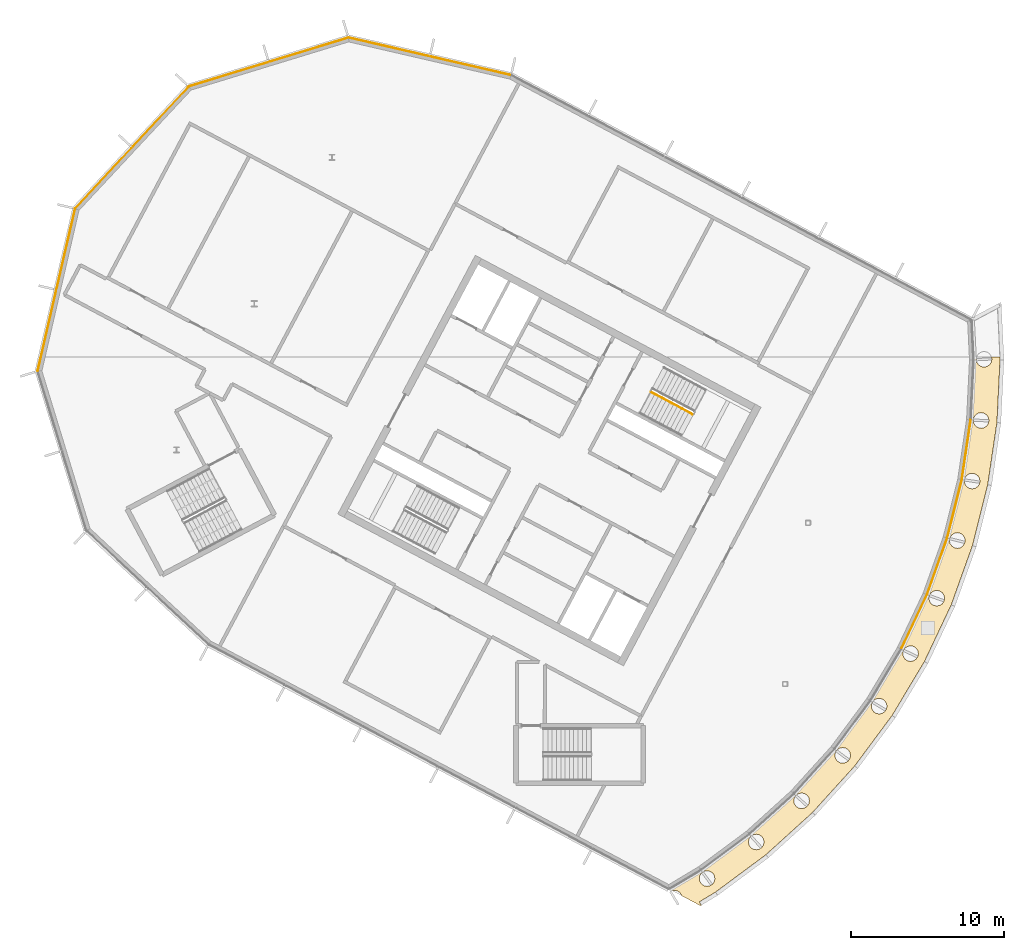
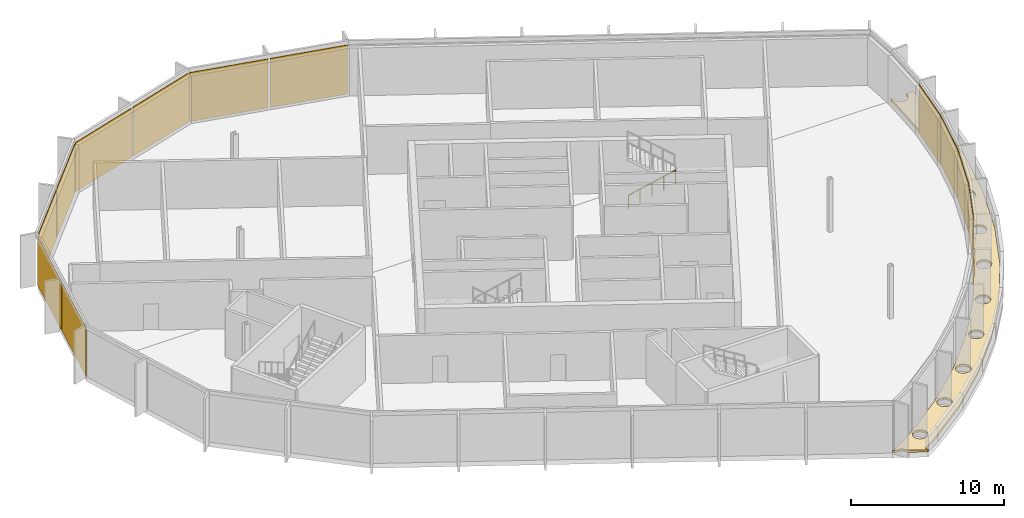
# One storey, part 14 of 16: 13 coverings, 1 railing, 8 elements without a shape of their own.
"""IFC4 building model written with IfcOpenShell, lengths in metres."""

from ifc_helpers import new_model, si_unit, direction, frame, origin, origin_2d, place, context, subcontext, project, spatial, polyline, rectangle, outline, extrude, material, layer, layer_set, type_object, element, aggregate, save


model = new_model("IFC4")

# Units and contexts
model_context = context("Model", 3, precision=1e-05, world=origin(), true_north=direction((0.0, 1.0)))
body_context = subcontext(model_context, "Body", "Model", "MODEL_VIEW")
ifc_project = project(units=[si_unit("LENGTHUNIT", "METRE"), si_unit("AREAUNIT", "SQUARE_METRE"), si_unit("VOLUMEUNIT", "CUBIC_METRE"), si_unit("PLANEANGLEUNIT", "RADIAN"), si_unit("MASSUNIT", "GRAM", prefix="KILO")], contexts=[model_context])

# Site, building, storey
site_placement = place(None, origin())
site = spatial("IfcSite", under=ifc_project, at=site_placement, CompositionType="ELEMENT")
building_placement = place(site_placement, origin())
building = spatial("IfcBuilding", under=site, at=building_placement, Name="Cormorant Relay Tower", CompositionType="ELEMENT")
storey_placement = place(building_placement, frame((0.0, 0.0, 340.800048828125)))
storey = spatial("IfcBuildingStorey", under=building, at=storey_placement, Name="C4", CompositionType="ELEMENT", Elevation=340.800048828125)

# Curtain wall, covering
ifc_material_1 = material(Name="Aluminium 6063-T6 anodised bronze", Category="aluminium")
ifc_layer_1 = layer(ifc_material_1, 0.199951171875)
ifc_layer_set_1 = layer_set([ifc_layer_1], Name="CW3 crown screen wall")
curtain_wall_type = type_object("IfcCurtainWallType", Name="CW3 crown screen wall", PredefinedType="NOTDEFINED", material=ifc_layer_set_1)
curtain_wall_1_placement = place(storey_placement, origin())
curtain_wall_1 = element("IfcCurtainWall", 1, at=curtain_wall_1_placement, inside=storey, type_object=curtain_wall_type, Name="CW3 curtain wall 8", PredefinedType="NOTDEFINED")
ifc_material_2 = material(Name="Perforated bronze anodised aluminium screen", Category="aluminium")
ifc_layer_2 = layer(ifc_material_2, 0.0400390625)
ifc_layer_set_2 = layer_set([ifc_layer_2], Name="CW3 perforated bronze screen panel 40")
covering_type_1 = type_object("IfcCoveringType", Name="CW3 perforated bronze screen panel 40", PredefinedType="CLADDING", material=ifc_layer_set_2)
covering_1_placement = place(storey_placement, frame((-3.58251953125, 4.070068359375, 0.0), z_axis=(0.0, 0.0, 1.0), x_axis=(0.42755509343, 0.903989293123, 0.0)))
covering_1 = element("IfcCovering", 2, at=covering_1_placement, type_object=covering_type_1, Name="CW3 panel X00", PredefinedType="CLADDING", context=body_context, shape_type="SweptSolid", body=[
    extrude(rectangle(XDim=3.850341796875, YDim=0.0400390625, at=origin_2d()), origin(), (0.0, 0.0, 1.0), 3.89990234375),
])
aggregate(curtain_wall_1, [covering_1])

curtain_wall_2_placement = place(storey_placement, origin())
curtain_wall_2 = element("IfcCurtainWall", 3, at=curtain_wall_2_placement, inside=storey, type_object=curtain_wall_type, Name="CW3 curtain wall 9", PredefinedType="NOTDEFINED")
covering_2_placement = place(storey_placement, frame((-2.084716796875, 7.6953125, 0.0), z_axis=(0.0, 0.0, 1.0), x_axis=(0.336889853392, 0.941544065183, 0.0)))
covering_2 = element("IfcCovering", 4, at=covering_2_placement, type_object=covering_type_1, Name="CW3 panel X00", PredefinedType="CLADDING", context=body_context, shape_type="SweptSolid", body=[
    extrude(rectangle(XDim=3.850341796875, YDim=0.0400390625, at=origin_2d()), origin(), (0.0, 0.0, 1.0), 3.89990234375),
])
aggregate(curtain_wall_2, [covering_2])

curtain_wall_3_placement = place(storey_placement, origin())
curtain_wall_3 = element("IfcCurtainWall", 5, at=curtain_wall_3_placement, inside=storey, type_object=curtain_wall_type, Name="CW3 curtain wall 10", PredefinedType="NOTDEFINED")
covering_3_placement = place(storey_placement, frame((-0.94970703125, 11.4501953125, 0.0), z_axis=(0.0, 0.0, 1.0), x_axis=(0.242980179903, 0.970031253195, 0.0)))
covering_3 = element("IfcCovering", 6, at=covering_3_placement, type_object=covering_type_1, Name="CW3 panel X00", PredefinedType="CLADDING", context=body_context, shape_type="SweptSolid", body=[
    extrude(rectangle(XDim=3.850341796875, YDim=0.0400390625, at=origin_2d()), origin(), (0.0, 0.0, 1.0), 3.89990234375),
])
aggregate(curtain_wall_3, [covering_3])

curtain_wall_4_placement = place(storey_placement, origin())
curtain_wall_4 = element("IfcCurtainWall", 7, at=curtain_wall_4_placement, inside=storey, type_object=curtain_wall_type, Name="CW3 curtain wall 11", PredefinedType="NOTDEFINED")
covering_4_placement = place(storey_placement, frame((-0.18798828125, 15.298095703125, 0.0), z_axis=(0.0, 0.0, 1.0), x_axis=(0.146730474455, 0.989176509965, 0.0)))
covering_4 = element("IfcCovering", 8, at=covering_4_placement, type_object=covering_type_1, Name="CW3 panel X00", PredefinedType="CLADDING", context=body_context, shape_type="SweptSolid", body=[
    extrude(rectangle(XDim=3.850341796875, YDim=0.0400390625, at=origin_2d()), origin(), (0.0, 0.0, 1.0), 3.89990234375),
])
aggregate(curtain_wall_4, [covering_4])

# Curtain wall, coverings
curtain_wall_5_placement = place(storey_placement, origin())
curtain_wall_5 = element("IfcCurtainWall", 9, at=curtain_wall_5_placement, inside=storey, type_object=curtain_wall_type, Name="CW3 curtain wall 15", PredefinedType="NOTDEFINED")
covering_5_placement = place(storey_placement, frame((-32.51708984375, 40.298828125, 0.0), z_axis=(0.0, 0.0, 1.0), x_axis=(-0.974370064785, 0.224951054344, 0.0)))
covering_5 = element("IfcCovering", 10, at=covering_5_placement, type_object=covering_type_1, Name="CW3 panel X00", PredefinedType="CLADDING", context=body_context, shape_type="SweptSolid", body=[
    extrude(rectangle(XDim=5.28515625, YDim=0.0400390625, at=origin_2d()), origin(), (0.0, 0.0, 1.0), 3.89990234375),
])
covering_6_placement = place(storey_placement, frame((-37.849609375, 41.530029296875, 0.0), z_axis=(0.0, 0.0, 1.0), x_axis=(-0.974370064785, 0.224951054344, 0.0)))
covering_6 = element("IfcCovering", 11, at=covering_6_placement, type_object=covering_type_1, Name="CW3 panel X01", PredefinedType="CLADDING", context=body_context, shape_type="SweptSolid", body=[
    extrude(rectangle(XDim=5.360107421875, YDim=0.0400390625, at=origin_2d()), origin(), (0.0, 0.0, 1.0), 3.89990234375),
])
aggregate(curtain_wall_5, [covering_5, covering_6])

curtain_wall_6_placement = place(storey_placement, origin())
curtain_wall_6 = element("IfcCurtainWall", 12, at=curtain_wall_6_placement, inside=storey, type_object=curtain_wall_type, Name="CW3 curtain wall 16", PredefinedType="NOTDEFINED")
covering_7_placement = place(storey_placement, frame((-43.0703125, 41.337890625, 0.0), z_axis=(0.0, 0.0, 1.0), x_axis=(-0.956304755963, -0.292371704723, 0.0)))
covering_7 = element("IfcCovering", 13, at=covering_7_placement, type_object=covering_type_1, Name="CW3 panel X00", PredefinedType="CLADDING", context=body_context, shape_type="SweptSolid", body=[
    extrude(rectangle(XDim=5.28515625, YDim=0.0400390625, at=origin_2d()), origin(), (0.0, 0.0, 1.0), 3.89990234375),
])
covering_8_placement = place(storey_placement, frame((-48.3037109375, 39.73779296875, 0.0), z_axis=(0.0, 0.0, 1.0), x_axis=(-0.956304755963, -0.292371704723, 0.0)))
covering_8 = element("IfcCovering", 14, at=covering_8_placement, type_object=covering_type_1, Name="CW3 panel X01", PredefinedType="CLADDING", context=body_context, shape_type="SweptSolid", body=[
    extrude(rectangle(XDim=5.360107421875, YDim=0.0400390625, at=origin_2d()), origin(), (0.0, 0.0, 1.0), 3.89990234375),
])
aggregate(curtain_wall_6, [covering_7, covering_8])

curtain_wall_7_placement = place(storey_placement, origin())
curtain_wall_7 = element("IfcCurtainWall", 15, at=curtain_wall_7_placement, inside=storey, type_object=curtain_wall_type, Name="CW3 curtain wall 17", PredefinedType="NOTDEFINED")
covering_9_placement = place(storey_placement, frame((-52.72900390625, 36.961181640625, 0.0), z_axis=(0.0, 0.0, 1.0), x_axis=(-0.681998360062, -0.731353701619, 0.0)))
covering_9 = element("IfcCovering", 16, at=covering_9_placement, type_object=covering_type_1, Name="CW3 panel X00", PredefinedType="CLADDING", context=body_context, shape_type="SweptSolid", body=[
    extrude(rectangle(XDim=5.28515625, YDim=0.0400390625, at=origin_2d()), origin(), (0.0, 0.0, 1.0), 3.89990234375),
])
covering_10_placement = place(storey_placement, frame((-56.461181640625, 32.958984375, 0.0), z_axis=(0.0, 0.0, 1.0), x_axis=(-0.681998360062, -0.731353701619, 0.0)))
covering_10 = element("IfcCovering", 17, at=covering_10_placement, type_object=covering_type_1, Name="CW3 panel X01", PredefinedType="CLADDING", context=body_context, shape_type="SweptSolid", body=[
    extrude(rectangle(XDim=5.360107421875, YDim=0.0400390625, at=origin_2d()), origin(), (0.0, 0.0, 1.0), 3.89990234375),
])
aggregate(curtain_wall_7, [covering_9, covering_10])

curtain_wall_8_placement = place(storey_placement, origin())
curtain_wall_8 = element("IfcCurtainWall", 18, at=curtain_wall_8_placement, inside=storey, type_object=curtain_wall_type, Name="CW3 curtain wall 18", PredefinedType="NOTDEFINED")
covering_11_placement = place(storey_placement, frame((-58.905517578125, 28.341796875, 0.0), z_axis=(0.0, 0.0, 1.0), x_axis=(-0.224951054344, -0.974370064785, 0.0)))
covering_11 = element("IfcCovering", 19, at=covering_11_placement, type_object=covering_type_1, Name="CW3 panel X00", PredefinedType="CLADDING", context=body_context, shape_type="SweptSolid", body=[
    extrude(rectangle(XDim=5.28515625, YDim=0.0400390625, at=origin_2d()), origin(), (0.0, 0.0, 1.0), 3.89990234375),
])
covering_12_placement = place(storey_placement, frame((-60.136474609375, 23.00927734375, 0.0), z_axis=(0.0, 0.0, 1.0), x_axis=(-0.224951054344, -0.974370064785, 0.0)))
covering_12 = element("IfcCovering", 20, at=covering_12_placement, type_object=covering_type_1, Name="CW3 panel X01", PredefinedType="CLADDING", context=body_context, shape_type="SweptSolid", body=[
    extrude(rectangle(XDim=5.360107421875, YDim=0.0400390625, at=origin_2d()), origin(), (0.0, 0.0, 1.0), 3.89990234375),
])
aggregate(curtain_wall_8, [covering_11, covering_12])

# Covering
ifc_material_3 = material(Name="Bituminous waterproof membrane on mineral wool insulation")
ifc_layer_3 = layer(ifc_material_3, 0.179931640625)
ifc_layer_set_3 = layer_set([ifc_layer_3], Name="Roof membrane and insulation 180")
covering_type_2 = type_object("IfcCoveringType", Name="Roof membrane and insulation 180", PredefinedType="ROOFING", material=ifc_layer_set_3)
covering_13_placement = place(storey_placement, origin())
element("IfcCovering", 21, at=covering_13_placement, inside=storey, type_object=covering_type_2, Name="Roof membrane", PredefinedType="ROOFING", context=body_context, shape_type="SweptSolid", body=[
    extrude(outline(polyline([(-17.520751953125, -14.468017578125), (-18.740234375, -13.819580078125), (-18.74853515625, -13.7783203125), (-18.859130859375, -13.61279296875), (-19.024658203125, -13.502197265625), (-19.219970703125, -13.46337890625), (-19.3583984375, -13.490966796875), (-19.57861328125, -13.373779296875), (-19.5234375, -13.3408203125), (-19.498291015625, -13.3828125), (-17.4755859375, -12.17041015625), (-17.501220703125, -12.12744140625), (-17.45703125, -12.0947265625), (-17.427734375, -12.134033203125), (-14.319091796875, -9.828369140625), (-14.348876953125, -9.7880859375), (-14.30810546875, -9.751220703125), (-14.275146484375, -9.78759765625), (-11.407470703125, -7.1884765625), (-11.44091796875, -7.1513671875), (-11.404052734375, -7.110595703125), (-11.36767578125, -7.143310546875), (-8.7685546875, -4.275634765625), (-8.805419921875, -4.2421875), (-8.772705078125, -4.197998046875), (-8.7333984375, -4.22705078125), (-6.427734375, -1.118408203125), (-6.468017578125, -1.08837890625), (-6.439697265625, -1.041259765625), (-6.397705078125, -1.06640625), (-4.40771484375, 2.25341796875), (-4.45068359375, 2.27880859375), (-4.427001953125, 2.32861328125), (-4.3828125, 2.307861328125), (-2.72802734375, 5.806640625), (-2.773193359375, 5.827880859375), (-2.754638671875, 5.879638671875), (-2.70849609375, 5.86328125), (-1.404541015625, 9.50732421875), (-1.45166015625, 9.524169921875), (-1.438232421875, 9.57763671875), (-1.390625, 9.565673828125), (-0.4501953125, 13.320068359375), (-0.498779296875, 13.332275390625), (-0.49072265625, 13.38671875), (-0.4423828125, 13.37939453125), (0.12548828125, 17.2080078125), (0.076171875, 17.21533203125), (0.078857421875, 17.2705078125), (0.1279296875, 17.26806640625), (0.31787109375, 21.1337890625), (0.267822265625, 21.13623046875), (0.26513671875, 21.191162109375), (0.314208984375, 21.193603515625), (0.308837890625, 21.300048828125), (0.48388671875, 21.300048828125), (0.456298828125, 21.16064453125), (0.4951171875, 20.96533203125), (0.605712890625, 20.7998046875), (0.771240234375, 20.689208984375), (0.966552734375, 20.650390625), (1.16162109375, 20.689208984375), (1.327392578125, 20.7998046875), (1.43798828125, 20.96533203125), (1.476806640625, 21.16064453125), (1.448974609375, 21.300048828125), (1.99853515625, 21.300048828125), (2.007080078125, 21.126220703125), (1.80615234375, 17.034912109375), (1.205078125, 12.983154296875), (0.209716796875, 9.009765625), (-1.170166015625, 5.153076171875), (-2.92138671875, 1.4501953125), (-5.02734375, -2.06298828125), (-7.46728515625, -5.353271484375), (-10.21826171875, -8.38818359375), (-13.253173828125, -11.138916015625), (-16.543212890625, -13.5791015625), (-17.602294921875, -14.2138671875), (-17.46875, -14.436767578125), (-17.520751953125, -14.468017578125)]), holes=[polyline([(0.77392578125, 16.660888671875), (0.968994140625, 16.69970703125), (1.134765625, 16.810302734375), (1.245361328125, 16.97607421875), (1.2841796875, 17.171142578125), (1.245361328125, 17.366455078125), (1.134765625, 17.531982421875), (0.968994140625, 17.642578125), (0.77392578125, 17.681396484375), (0.57861328125, 17.642578125), (0.4130859375, 17.531982421875), (0.302490234375, 17.366455078125), (0.263671875, 17.171142578125), (0.302490234375, 16.97607421875), (0.4130859375, 16.810302734375), (0.57861328125, 16.69970703125), (0.77392578125, 16.660888671875)]), polyline([(0.191162109375, 12.709716796875), (0.386474609375, 12.74853515625), (0.552001953125, 12.859130859375), (0.66259765625, 13.024658203125), (0.701416015625, 13.219970703125), (0.66259765625, 13.4150390625), (0.552001953125, 13.580810546875), (0.386474609375, 13.69140625), (0.191162109375, 13.72998046875), (-0.00390625, 13.69140625), (-0.169677734375, 13.580810546875), (-0.2802734375, 13.4150390625), (-0.319091796875, 13.219970703125), (-0.2802734375, 13.024658203125), (-0.169677734375, 12.859130859375), (-0.00390625, 12.74853515625), (0.191162109375, 12.709716796875)]), polyline([(-0.77587890625, 8.83447265625), (-0.580810546875, 8.873291015625), (-0.415283203125, 8.98388671875), (-0.3046875, 9.1494140625), (-0.265869140625, 9.3447265625), (-0.3046875, 9.539794921875), (-0.415283203125, 9.70556640625), (-0.580810546875, 9.816162109375), (-0.77587890625, 9.85498046875), (-0.97119140625, 9.816162109375), (-1.13671875, 9.70556640625), (-1.247314453125, 9.539794921875), (-1.2861328125, 9.3447265625), (-1.247314453125, 9.1494140625), (-1.13671875, 8.98388671875), (-0.97119140625, 8.873291015625), (-0.77587890625, 8.83447265625)]), polyline([(-2.118408203125, 5.072998046875), (-1.923095703125, 5.11181640625), (-1.757568359375, 5.222412109375), (-1.64697265625, 5.387939453125), (-1.608154296875, 5.5830078125), (-1.64697265625, 5.7783203125), (-1.757568359375, 5.94384765625), (-1.923095703125, 6.054443359375), (-2.118408203125, 6.09326171875), (-2.313720703125, 6.054443359375), (-2.479248046875, 5.94384765625), (-2.58984375, 5.7783203125), (-2.628662109375, 5.5830078125), (-2.58984375, 5.387939453125), (-2.479248046875, 5.222412109375), (-2.313720703125, 5.11181640625), (-2.118408203125, 5.072998046875)]), polyline([(-3.822998046875, 1.4609375), (-3.627685546875, 1.499755859375), (-3.462158203125, 1.6103515625), (-3.3515625, 1.77587890625), (-3.312744140625, 1.97119140625), (-3.3515625, 2.166259765625), (-3.462158203125, 2.331787109375), (-3.627685546875, 2.4423828125), (-3.822998046875, 2.481201171875), (-4.018310546875, 2.4423828125), (-4.183837890625, 2.331787109375), (-4.29443359375, 2.166259765625), (-4.333251953125, 1.97119140625), (-4.29443359375, 1.77587890625), (-4.183837890625, 1.6103515625), (-4.018310546875, 1.499755859375), (-3.822998046875, 1.4609375)]), polyline([(-5.873291015625, -1.966796875), (-5.67822265625, -1.927978515625), (-5.5126953125, -1.8173828125), (-5.402099609375, -1.651611328125), (-5.36328125, -1.45654296875), (-5.402099609375, -1.26123046875), (-5.5126953125, -1.095703125), (-5.67822265625, -0.985107421875), (-5.873291015625, -0.9462890625), (-6.068603515625, -0.985107421875), (-6.234130859375, -1.095703125), (-6.3447265625, -1.26123046875), (-6.383544921875, -1.45654296875), (-6.3447265625, -1.651611328125), (-6.234130859375, -1.8173828125), (-6.068603515625, -1.927978515625), (-5.873291015625, -1.966796875)]), polyline([(-8.25, -5.1767578125), (-8.0546875, -5.137939453125), (-7.88916015625, -5.02734375), (-7.778564453125, -4.86181640625), (-7.73974609375, -4.66650390625), (-7.778564453125, -4.47119140625), (-7.88916015625, -4.3056640625), (-8.0546875, -4.195068359375), (-8.25, -4.15625), (-8.4453125, -4.195068359375), (-8.61083984375, -4.3056640625), (-8.721435546875, -4.47119140625), (-8.76025390625, -4.66650390625), (-8.721435546875, -4.86181640625), (-8.61083984375, -5.02734375), (-8.4453125, -5.137939453125), (-8.25, -5.1767578125)]), polyline([(-10.9296875, -8.13818359375), (-10.734619140625, -8.099609375), (-10.56884765625, -7.989013671875), (-10.458251953125, -7.8232421875), (-10.41943359375, -7.628173828125), (-10.458251953125, -7.432861328125), (-10.56884765625, -7.267333984375), (-10.734619140625, -7.15673828125), (-10.9296875, -7.117919921875), (-11.125, -7.15673828125), (-11.29052734375, -7.267333984375), (-11.401123046875, -7.432861328125), (-11.43994140625, -7.628173828125), (-11.401123046875, -7.8232421875), (-11.29052734375, -7.989013671875), (-11.125, -8.099609375), (-10.9296875, -8.13818359375)]), polyline([(-13.88671875, -10.822998046875), (-13.691650390625, -10.7841796875), (-13.52587890625, -10.673583984375), (-13.415283203125, -10.508056640625), (-13.376708984375, -10.31298828125), (-13.415283203125, -10.11767578125), (-13.52587890625, -9.9521484375), (-13.691650390625, -9.841552734375), (-13.88671875, -9.802734375), (-14.08203125, -9.841552734375), (-14.24755859375, -9.9521484375), (-14.358154296875, -10.11767578125), (-14.39697265625, -10.31298828125), (-14.358154296875, -10.508056640625), (-14.24755859375, -10.673583984375), (-14.08203125, -10.7841796875), (-13.88671875, -10.822998046875)]), polyline([(-17.0927734375, -13.205078125), (-16.897705078125, -13.166259765625), (-16.73193359375, -13.0556640625), (-16.621337890625, -12.889892578125), (-16.58251953125, -12.69482421875), (-16.621337890625, -12.49951171875), (-16.73193359375, -12.333984375), (-16.897705078125, -12.223388671875), (-17.0927734375, -12.1845703125), (-17.2880859375, -12.223388671875), (-17.45361328125, -12.333984375), (-17.564208984375, -12.49951171875), (-17.60302734375, -12.69482421875), (-17.564208984375, -12.889892578125), (-17.45361328125, -13.0556640625), (-17.2880859375, -13.166259765625), (-17.0927734375, -13.205078125)])]), origin(), (0.0, 0.0, 1.0), 0.179931640625),
])

# Railing
ifc_material_4 = material(Name="Steel ASTM A572 Grade 50 (Fy 345 MPa)", Category="steel")
railing_type = type_object("IfcRailingType", Name="Stair guard 1100", PredefinedType="GUARDRAIL", material=ifc_material_4)
railing_placement = place(storey_placement, frame((-20.75048828125, 19.017822265625, 0.175048828125)))
element("IfcRailing", 22, at=railing_placement, inside=storey, type_object=railing_type, Name="C4 A1 stair guard 1", PredefinedType="GUARDRAIL", context=body_context, shape_type="SweptSolid", body=[
    extrude(outline(polyline([(0.022216796875, 0.00927734375), (0.00927734375, 0.022216796875), (-0.00927734375, 0.022216796875), (-0.022216796875, 0.00927734375), (-0.022216796875, -0.00927734375), (-0.00927734375, -0.022216796875), (0.00927734375, -0.022216796875), (0.022216796875, -0.00927734375), (0.022216796875, 0.00927734375)])), frame((0.0, 0.0, 1.076171875), z_axis=(0.748773950783, -0.398082353581, 0.529969820269), x_axis=(0.469427602063, 0.882970965786, 0.0)), (0.0, 0.0, 1.0), 3.6318359375),
    extrude(outline(polyline([(0.019287109375, 0.008056640625), (0.008056640625, 0.019287109375), (-0.008056640625, 0.019287109375), (-0.019287109375, 0.008056640625), (-0.019287109375, -0.008056640625), (-0.008056640625, -0.019287109375), (0.008056640625, -0.019287109375), (0.019287109375, -0.008056640625), (0.019287109375, 0.008056640625)])), origin(), (0.0, 0.0, 1.0), 1.052001953125),
    extrude(outline(polyline([(0.019287109375, 0.008056640625), (0.008056640625, 0.019287109375), (-0.008056640625, 0.019287109375), (-0.019287109375, 0.008056640625), (-0.019287109375, -0.008056640625), (-0.008056640625, -0.019287109375), (0.008056640625, -0.019287109375), (0.019287109375, -0.008056640625), (0.019287109375, 0.008056640625)])), frame((0.679931640625, -0.361328125, 0.481201171875)), (0.0, 0.0, 1.0), 1.052001953125),
    extrude(outline(polyline([(0.019287109375, 0.008056640625), (0.008056640625, 0.019287109375), (-0.008056640625, 0.019287109375), (-0.019287109375, 0.008056640625), (-0.019287109375, -0.008056640625), (-0.008056640625, -0.019287109375), (0.008056640625, -0.019287109375), (0.019287109375, -0.008056640625), (0.019287109375, 0.008056640625)])), frame((1.35986328125, -0.722900390625, 0.96240234375)), (0.0, 0.0, 1.0), 1.052001953125),
    extrude(outline(polyline([(0.019287109375, 0.008056640625), (0.008056640625, 0.019287109375), (-0.008056640625, 0.019287109375), (-0.019287109375, 0.008056640625), (-0.019287109375, -0.008056640625), (-0.008056640625, -0.019287109375), (0.008056640625, -0.019287109375), (0.019287109375, -0.008056640625), (0.019287109375, 0.008056640625)])), frame((2.03955078125, -1.08447265625, 1.443603515625)), (0.0, 0.0, 1.0), 1.052001953125),
    extrude(outline(polyline([(0.019287109375, 0.008056640625), (0.008056640625, 0.019287109375), (-0.008056640625, 0.019287109375), (-0.019287109375, 0.008056640625), (-0.019287109375, -0.008056640625), (-0.008056640625, -0.019287109375), (0.008056640625, -0.019287109375), (0.019287109375, -0.008056640625), (0.019287109375, 0.008056640625)])), frame((2.719482421875, -1.44580078125, 1.9248046875)), (0.0, 0.0, 1.0), 1.052001953125),
])

save(model, "model.ifc")
